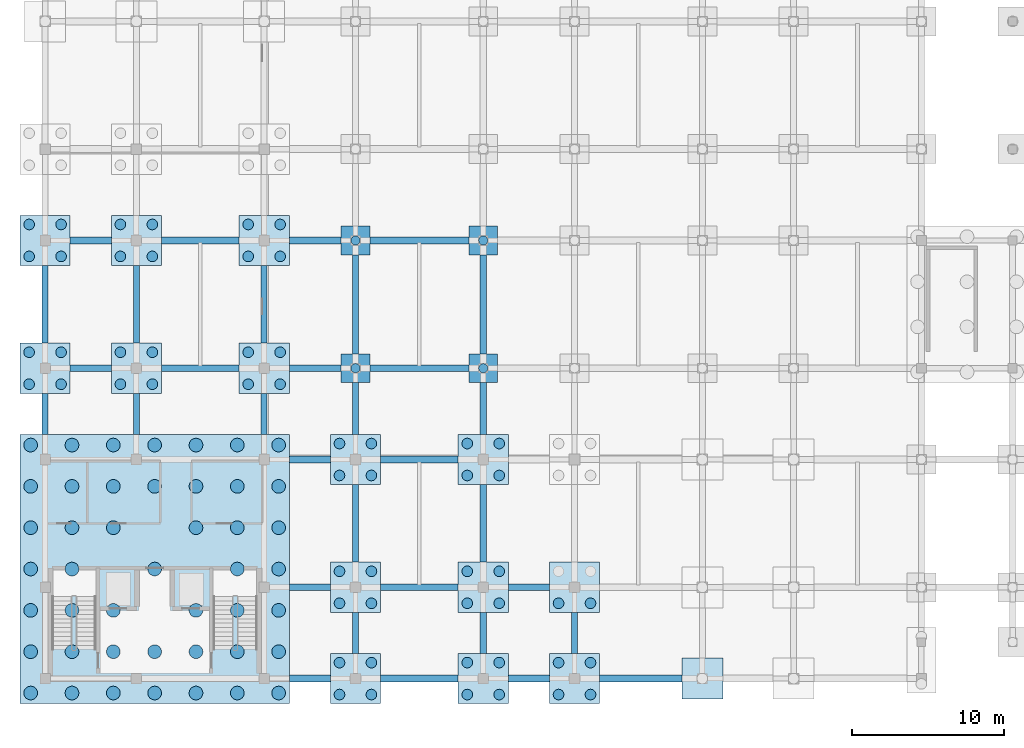
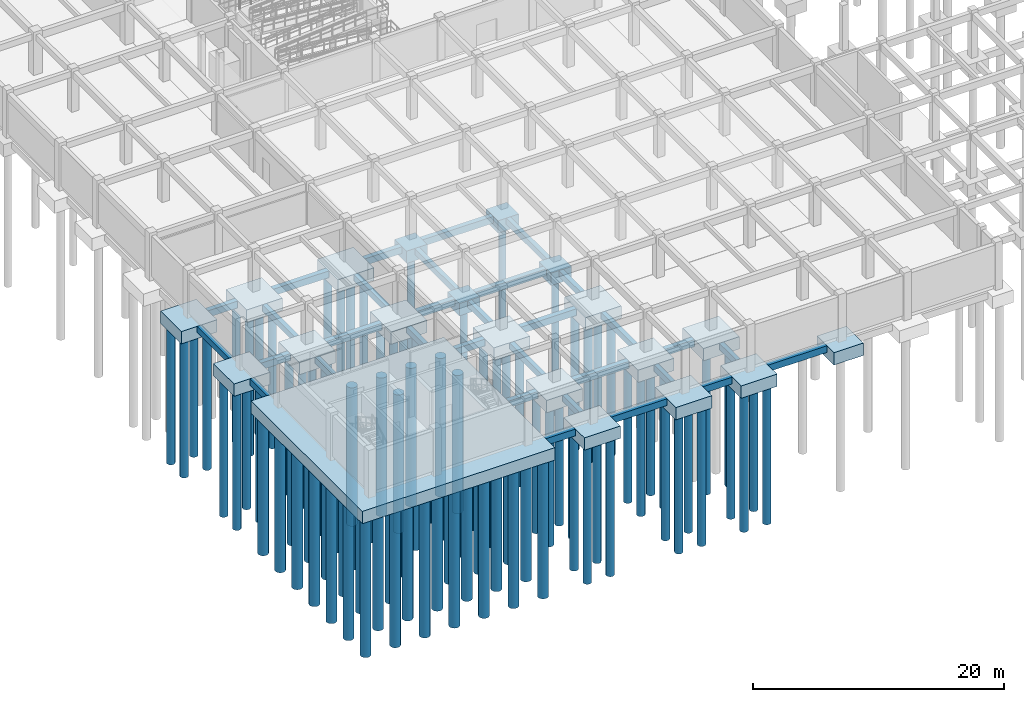
# One storey, part 1 of 40: 103 piles, 52 footings.
"""IFC4 building model written with IfcOpenShell, lengths in metres."""

from ifc_helpers import new_model, si_unit, direction, frame, origin, origin_2d, place, context, subcontext, project, spatial, rectangle, circle, extrude, material, material_profile, profile_set, type_object, element, save


model = new_model("IFC4")

# Units and contexts
model_context = context("Model", 3, precision=1e-05, world=origin(), true_north=direction((0.0, 1.0)))
body_context = subcontext(model_context, "Body", "Model", "MODEL_VIEW")
ifc_project = project(units=[si_unit("LENGTHUNIT", "METRE"), si_unit("AREAUNIT", "SQUARE_METRE"), si_unit("VOLUMEUNIT", "CUBIC_METRE"), si_unit("PLANEANGLEUNIT", "RADIAN"), si_unit("MASSUNIT", "GRAM", prefix="KILO"), si_unit("THERMODYNAMICTEMPERATUREUNIT", "KELVIN")], contexts=[model_context])

# Site, building, storey
site_placement = place(None, origin())
site = spatial("IfcSite", under=ifc_project, at=site_placement, CompositionType="ELEMENT")
building_placement = place(site_placement, origin())
building = spatial("IfcBuilding", under=site, at=building_placement, Name="Thalorik Housing Commons", CompositionType="ELEMENT")
storey_placement = place(building_placement, frame((0.0, 0.0, -4.199951171875)))
storey = spatial("IfcBuildingStorey", under=building, at=storey_placement, Name="B1", CompositionType="ELEMENT", Elevation=-4.199951171875)

# Footings
ifc_material = material(Name="Concrete C40/50", Category="concrete")
footing_type_1 = type_object("IfcFootingType", Name="STR-CAP-17700x17700", PredefinedType="PILE_CAP", material=ifc_material)
footing_1_placement = place(storey_placement, frame((15.60009765625, 15.60009765625, -1.64990234375), z_axis=(0.0, 0.0, 1.0), x_axis=(1.0, 0.0, 0.0)))
element("IfcFooting", 1, at=footing_1_placement, inside=storey, type_object=footing_type_1, Name="B1 Pile Cap 1", PredefinedType="PILE_CAP", context=body_context, shape_type="SweptSolid", body=[
    extrude(rectangle(XDim=17.699951171875, YDim=17.699951171875, at=origin_2d()), origin(), (0.0, 0.0, 1.0), 1.199951171875),
])
footing_type_2 = type_object("IfcFootingType", Name="STR-CAP-1900x1900", PredefinedType="PILE_CAP", material=ifc_material)
for number, where, z_axis, x_axis, name in (
    (2, (28.800048828125, 28.800048828125, -1.64990234375), (0.0, 0.0, 1.0), (1.0, 0.0, 0.0), "B1 Pile Cap 61"),
    (3, (37.199951171875, 28.800048828125, -1.64990234375), (0.0, 0.0, 1.0), (1.0, 0.0, 0.0), "B1 Pile Cap 62"),
    (4, (28.800048828125, 37.199951171875, -1.64990234375), (0.0, 0.0, 1.0), (1.0, 0.0, 0.0), "B1 Pile Cap 86"),
    (5, (37.199951171875, 37.199951171875, -1.64990234375), (0.0, 0.0, 1.0), (1.0, 0.0, 0.0), "B1 Pile Cap 87"),
):
    element("IfcFooting", number, at=place(storey_placement, frame(where, z_axis=z_axis, x_axis=x_axis)), inside=storey, type_object=footing_type_2, Name=name, PredefinedType="PILE_CAP", context=body_context, shape_type="SweptSolid", body=[
        extrude(rectangle(XDim=1.89990234375, YDim=1.89990234375, at=origin_2d()), origin(), (0.0, 0.0, 1.0), 1.199951171875),
    ])
footing_type_3 = type_object("IfcFootingType", Name="STR-CAP-2700x2700", PredefinedType="PILE_CAP", material=ifc_material)
footing_2_placement = place(storey_placement, frame((51.60009765625, 8.39990234375, -1.64990234375), z_axis=(0.0, 0.0, 1.0), x_axis=(1.0, 0.0, 0.0)))
element("IfcFooting", 6, at=footing_2_placement, inside=storey, type_object=footing_type_3, Name="B1 Pile Cap 5", PredefinedType="PILE_CAP", context=body_context, shape_type="SweptSolid", body=[
    extrude(rectangle(XDim=2.699951171875, YDim=2.699951171875, at=origin_2d()), origin(), (0.0, 0.0, 1.0), 1.199951171875),
])
footing_type_4 = type_object("IfcFootingType", Name="STR-CAP-3300x3300", PredefinedType="PILE_CAP", material=ifc_material)
for number, where, z_axis, x_axis, name in (
    (7, (28.800048828125, 8.39990234375, -1.64990234375), (0.0, 0.0, 1.0), (1.0, 0.0, 0.0), "B1 Pile Cap 2"),
    (8, (37.199951171875, 8.39990234375, -1.64990234375), (0.0, 0.0, 1.0), (1.0, 0.0, 0.0), "B1 Pile Cap 3"),
    (9, (43.199951171875, 8.39990234375, -1.64990234375), (0.0, 0.0, 1.0), (1.0, 0.0, 0.0), "B1 Pile Cap 4"),
    (10, (28.800048828125, 14.39990234375, -1.64990234375), (0.0, 0.0, 1.0), (1.0, 0.0, 0.0), "B1 Pile Cap 21"),
    (11, (37.199951171875, 14.39990234375, -1.64990234375), (0.0, 0.0, 1.0), (1.0, 0.0, 0.0), "B1 Pile Cap 22"),
    (12, (43.199951171875, 14.39990234375, -1.64990234375), (0.0, 0.0, 1.0), (1.0, 0.0, 0.0), "B1 Pile Cap 23"),
    (13, (28.800048828125, 22.800048828125, -1.64990234375), (0.0, 0.0, 1.0), (1.0, 0.0, 0.0), "B1 Pile Cap 38"),
    (14, (37.199951171875, 22.800048828125, -1.64990234375), (0.0, 0.0, 1.0), (1.0, 0.0, 0.0), "B1 Pile Cap 39"),
    (15, (8.39990234375, 28.800048828125, -1.64990234375), (0.0, 0.0, 1.0), (1.0, 0.0, 0.0), "B1 Pile Cap 58"),
    (16, (14.39990234375, 28.800048828125, -1.64990234375), (0.0, 0.0, 1.0), (1.0, 0.0, 0.0), "B1 Pile Cap 59"),
    (17, (22.800048828125, 28.800048828125, -1.64990234375), (0.0, 0.0, 1.0), (1.0, 0.0, 0.0), "B1 Pile Cap 60"),
    (18, (8.39990234375, 37.199951171875, -1.64990234375), (0.0, 0.0, 1.0), (1.0, 0.0, 0.0), "B1 Pile Cap 79"),
    (19, (14.39990234375, 37.199951171875, -1.64990234375), (0.0, 0.0, 1.0), (1.0, 0.0, 0.0), "B1 Pile Cap 80"),
    (20, (22.800048828125, 37.199951171875, -1.64990234375), (0.0, 0.0, 1.0), (1.0, 0.0, 0.0), "B1 Pile Cap 81"),
):
    element("IfcFooting", number, at=place(storey_placement, frame(where, z_axis=z_axis, x_axis=x_axis)), inside=storey, type_object=footing_type_4, Name=name, PredefinedType="PILE_CAP", context=body_context, shape_type="SweptSolid", body=[
        extrude(rectangle(XDim=3.300048828125, YDim=3.300048828125, at=origin_2d()), origin(), (0.0, 0.0, 1.0), 1.199951171875),
    ])
ifc_material_profile_1 = material_profile(ifc_material, rectangle(XDim=0.39990234375, YDim=0.60009765625, at=origin_2d()), Name="RC 400x600", Category="concrete")
ifc_profile_set_1 = profile_set([ifc_material_profile_1], Name="Concrete C40/50")
footing_type_5 = type_object("IfcFootingType", Name="STR-GB-400", PredefinedType="FOOTING_BEAM", material=ifc_profile_set_1)
footing_3_placement = place(storey_placement, frame((8.39990234375, 24.449951171875, -0.75), z_axis=(0.0, 1.0, 0.0), x_axis=(-1.0, 0.0, 0.0)))
element("IfcFooting", 21, at=footing_3_placement, inside=storey, type_object=footing_type_5, Name="B1 Ground Tie-Beam Y 263", PredefinedType="FOOTING_BEAM", context=body_context, shape_type="SweptSolid", body=[
    extrude(rectangle(XDim=0.39990234375, YDim=0.60009765625, at=origin_2d()), origin(), (0.0, 0.0, 1.0), 2.699951171875),
])
footing_4_placement = place(storey_placement, frame((8.39990234375, 30.449951171875, -0.75), z_axis=(0.0, 1.0, 0.0), x_axis=(-1.0, 0.0, 0.0)))
element("IfcFooting", 22, at=footing_4_placement, inside=storey, type_object=footing_type_5, Name="B1 Ground Tie-Beam Y 264", PredefinedType="FOOTING_BEAM", context=body_context, shape_type="SweptSolid", body=[
    extrude(rectangle(XDim=0.39990234375, YDim=0.60009765625, at=origin_2d()), origin(), (0.0, 0.0, 1.0), 5.10009765625),
])
footing_5_placement = place(storey_placement, frame((14.39990234375, 24.449951171875, -0.75), z_axis=(0.0, 1.0, 0.0), x_axis=(-1.0, 0.0, 0.0)))
element("IfcFooting", 23, at=footing_5_placement, inside=storey, type_object=footing_type_5, Name="B1 Ground Tie-Beam Y 275", PredefinedType="FOOTING_BEAM", context=body_context, shape_type="SweptSolid", body=[
    extrude(rectangle(XDim=0.39990234375, YDim=0.60009765625, at=origin_2d()), origin(), (0.0, 0.0, 1.0), 2.699951171875),
])
footing_6_placement = place(storey_placement, frame((14.39990234375, 30.449951171875, -0.75), z_axis=(0.0, 1.0, 0.0), x_axis=(-1.0, 0.0, 0.0)))
element("IfcFooting", 24, at=footing_6_placement, inside=storey, type_object=footing_type_5, Name="B1 Ground Tie-Beam Y 276", PredefinedType="FOOTING_BEAM", context=body_context, shape_type="SweptSolid", body=[
    extrude(rectangle(XDim=0.39990234375, YDim=0.60009765625, at=origin_2d()), origin(), (0.0, 0.0, 1.0), 5.10009765625),
])
footing_7_placement = place(storey_placement, frame((22.800048828125, 24.449951171875, -0.75), z_axis=(0.0, 1.0, 0.0), x_axis=(-1.0, 0.0, 0.0)))
element("IfcFooting", 25, at=footing_7_placement, inside=storey, type_object=footing_type_5, Name="B1 Ground Tie-Beam Y 287", PredefinedType="FOOTING_BEAM", context=body_context, shape_type="SweptSolid", body=[
    extrude(rectangle(XDim=0.39990234375, YDim=0.60009765625, at=origin_2d()), origin(), (0.0, 0.0, 1.0), 2.699951171875),
])
footing_8_placement = place(storey_placement, frame((22.800048828125, 30.449951171875, -0.75), z_axis=(0.0, 1.0, 0.0), x_axis=(-1.0, 0.0, 0.0)))
element("IfcFooting", 26, at=footing_8_placement, inside=storey, type_object=footing_type_5, Name="B1 Ground Tie-Beam Y 288", PredefinedType="FOOTING_BEAM", context=body_context, shape_type="SweptSolid", body=[
    extrude(rectangle(XDim=0.39990234375, YDim=0.60009765625, at=origin_2d()), origin(), (0.0, 0.0, 1.0), 5.10009765625),
])
footing_9_placement = place(storey_placement, frame((28.800048828125, 10.050048828125, -0.75), z_axis=(0.0, 1.0, 0.0), x_axis=(-1.0, 0.0, 0.0)))
element("IfcFooting", 27, at=footing_9_placement, inside=storey, type_object=footing_type_5, Name="B1 Ground Tie-Beam Y 299", PredefinedType="FOOTING_BEAM", context=body_context, shape_type="SweptSolid", body=[
    extrude(rectangle(XDim=0.39990234375, YDim=0.60009765625, at=origin_2d()), origin(), (0.0, 0.0, 1.0), 2.699951171875),
])
footing_10_placement = place(storey_placement, frame((28.800048828125, 16.050048828125, -0.75), z_axis=(0.0, 1.0, 0.0), x_axis=(-1.0, 0.0, 0.0)))
element("IfcFooting", 28, at=footing_10_placement, inside=storey, type_object=footing_type_5, Name="B1 Ground Tie-Beam Y 300", PredefinedType="FOOTING_BEAM", context=body_context, shape_type="SweptSolid", body=[
    extrude(rectangle(XDim=0.39990234375, YDim=0.60009765625, at=origin_2d()), origin(), (0.0, 0.0, 1.0), 5.099853515625),
])
footing_11_placement = place(storey_placement, frame((28.800048828125, 24.449951171875, -0.75), z_axis=(0.0, 1.0, 0.0), x_axis=(-1.0, 0.0, 0.0)))
element("IfcFooting", 29, at=footing_11_placement, inside=storey, type_object=footing_type_5, Name="B1 Ground Tie-Beam Y 301", PredefinedType="FOOTING_BEAM", context=body_context, shape_type="SweptSolid", body=[
    extrude(rectangle(XDim=0.39990234375, YDim=0.60009765625, at=origin_2d()), origin(), (0.0, 0.0, 1.0), 3.400146484375),
])
footing_12_placement = place(storey_placement, frame((28.800048828125, 29.75, -0.75), z_axis=(0.0, 1.0, 0.0), x_axis=(-1.0, 0.0, 0.0)))
element("IfcFooting", 30, at=footing_12_placement, inside=storey, type_object=footing_type_5, Name="B1 Ground Tie-Beam Y 302", PredefinedType="FOOTING_BEAM", context=body_context, shape_type="SweptSolid", body=[
    extrude(rectangle(XDim=0.39990234375, YDim=0.60009765625, at=origin_2d()), origin(), (0.0, 0.0, 1.0), 6.5),
])
footing_13_placement = place(storey_placement, frame((37.199951171875, 10.050048828125, -0.75), z_axis=(0.0, 1.0, 0.0), x_axis=(-1.0, 0.0, 0.0)))
element("IfcFooting", 31, at=footing_13_placement, inside=storey, type_object=footing_type_5, Name="B1 Ground Tie-Beam Y 314", PredefinedType="FOOTING_BEAM", context=body_context, shape_type="SweptSolid", body=[
    extrude(rectangle(XDim=0.39990234375, YDim=0.60009765625, at=origin_2d()), origin(), (0.0, 0.0, 1.0), 2.699951171875),
])
footing_14_placement = place(storey_placement, frame((37.199951171875, 16.050048828125, -0.75), z_axis=(0.0, 1.0, 0.0), x_axis=(-1.0, 0.0, 0.0)))
element("IfcFooting", 32, at=footing_14_placement, inside=storey, type_object=footing_type_5, Name="B1 Ground Tie-Beam Y 315", PredefinedType="FOOTING_BEAM", context=body_context, shape_type="SweptSolid", body=[
    extrude(rectangle(XDim=0.39990234375, YDim=0.60009765625, at=origin_2d()), origin(), (0.0, 0.0, 1.0), 5.099853515625),
])
footing_15_placement = place(storey_placement, frame((37.199951171875, 24.449951171875, -0.75), z_axis=(0.0, 1.0, 0.0), x_axis=(-1.0, 0.0, 0.0)))
element("IfcFooting", 33, at=footing_15_placement, inside=storey, type_object=footing_type_5, Name="B1 Ground Tie-Beam Y 316", PredefinedType="FOOTING_BEAM", context=body_context, shape_type="SweptSolid", body=[
    extrude(rectangle(XDim=0.39990234375, YDim=0.60009765625, at=origin_2d()), origin(), (0.0, 0.0, 1.0), 3.400146484375),
])
footing_16_placement = place(storey_placement, frame((37.199951171875, 29.75, -0.75), z_axis=(0.0, 1.0, 0.0), x_axis=(-1.0, 0.0, 0.0)))
element("IfcFooting", 34, at=footing_16_placement, inside=storey, type_object=footing_type_5, Name="B1 Ground Tie-Beam Y 317", PredefinedType="FOOTING_BEAM", context=body_context, shape_type="SweptSolid", body=[
    extrude(rectangle(XDim=0.39990234375, YDim=0.60009765625, at=origin_2d()), origin(), (0.0, 0.0, 1.0), 6.5),
])
footing_17_placement = place(storey_placement, frame((43.199951171875, 10.050048828125, -0.75), z_axis=(0.0, 1.0, 0.0), x_axis=(-1.0, 0.0, 0.0)))
element("IfcFooting", 35, at=footing_17_placement, inside=storey, type_object=footing_type_5, Name="B1 Ground Tie-Beam Y 329", PredefinedType="FOOTING_BEAM", context=body_context, shape_type="SweptSolid", body=[
    extrude(rectangle(XDim=0.39990234375, YDim=0.60009765625, at=origin_2d()), origin(), (0.0, 0.0, 1.0), 2.699951171875),
])
ifc_material_profile_2 = material_profile(ifc_material, rectangle(XDim=0.449951171875, YDim=0.64990234375, at=origin_2d()), Name="RC 450x650", Category="concrete")
ifc_profile_set_2 = profile_set([ifc_material_profile_2], Name="Concrete C40/50")
footing_type_6 = type_object("IfcFootingType", Name="STR-GB-500", PredefinedType="FOOTING_BEAM", material=ifc_profile_set_2)
footing_18_placement = place(storey_placement, frame((24.449951171875, 8.39990234375, -0.775146484375), z_axis=(1.0, 0.0, 0.0), x_axis=(0.0, 1.0, 0.0)))
element("IfcFooting", 36, at=footing_18_placement, inside=storey, type_object=footing_type_6, Name="B1 Ground Tie-Beam X 1", PredefinedType="FOOTING_BEAM", context=body_context, shape_type="SweptSolid", body=[
    extrude(rectangle(XDim=0.449951171875, YDim=0.64990234375, at=origin_2d()), origin(), (0.0, 0.0, 1.0), 2.699951171875),
])
footing_19_placement = place(storey_placement, frame((30.449951171875, 8.39990234375, -0.775146484375), z_axis=(1.0, 0.0, 0.0), x_axis=(0.0, 1.0, 0.0)))
element("IfcFooting", 37, at=footing_19_placement, inside=storey, type_object=footing_type_6, Name="B1 Ground Tie-Beam X 2", PredefinedType="FOOTING_BEAM", context=body_context, shape_type="SweptSolid", body=[
    extrude(rectangle(XDim=0.449951171875, YDim=0.64990234375, at=origin_2d()), origin(), (0.0, 0.0, 1.0), 5.10009765625),
])
footing_20_placement = place(storey_placement, frame((38.85009765625, 8.39990234375, -0.775146484375), z_axis=(1.0, 0.0, 0.0), x_axis=(0.0, 1.0, 0.0)))
element("IfcFooting", 38, at=footing_20_placement, inside=storey, type_object=footing_type_6, Name="B1 Ground Tie-Beam X 3", PredefinedType="FOOTING_BEAM", context=body_context, shape_type="SweptSolid", body=[
    extrude(rectangle(XDim=0.449951171875, YDim=0.64990234375, at=origin_2d()), origin(), (0.0, 0.0, 1.0), 2.699951171875),
])
footing_21_placement = place(storey_placement, frame((44.85009765625, 8.39990234375, -0.775146484375), z_axis=(1.0, 0.0, 0.0), x_axis=(0.0, 1.0, 0.0)))
element("IfcFooting", 39, at=footing_21_placement, inside=storey, type_object=footing_type_6, Name="B1 Ground Tie-Beam X 4", PredefinedType="FOOTING_BEAM", context=body_context, shape_type="SweptSolid", body=[
    extrude(rectangle(XDim=0.449951171875, YDim=0.64990234375, at=origin_2d()), origin(), (0.0, 0.0, 1.0), 5.39990234375),
])
footing_22_placement = place(storey_placement, frame((24.449951171875, 14.39990234375, -0.775146484375), z_axis=(1.0, 0.0, 0.0), x_axis=(0.0, 1.0, 0.0)))
element("IfcFooting", 40, at=footing_22_placement, inside=storey, type_object=footing_type_6, Name="B1 Ground Tie-Beam X 12", PredefinedType="FOOTING_BEAM", context=body_context, shape_type="SweptSolid", body=[
    extrude(rectangle(XDim=0.449951171875, YDim=0.64990234375, at=origin_2d()), origin(), (0.0, 0.0, 1.0), 2.699951171875),
])
footing_23_placement = place(storey_placement, frame((30.449951171875, 14.39990234375, -0.775146484375), z_axis=(1.0, 0.0, 0.0), x_axis=(0.0, 1.0, 0.0)))
element("IfcFooting", 41, at=footing_23_placement, inside=storey, type_object=footing_type_6, Name="B1 Ground Tie-Beam X 13", PredefinedType="FOOTING_BEAM", context=body_context, shape_type="SweptSolid", body=[
    extrude(rectangle(XDim=0.449951171875, YDim=0.64990234375, at=origin_2d()), origin(), (0.0, 0.0, 1.0), 5.10009765625),
])
for number, where, z_axis, x_axis, name in (
    (42, (38.85009765625, 14.39990234375, -0.775146484375), (1.0, 0.0, 0.0), (0.0, 1.0, 0.0), "B1 Ground Tie-Beam X 14"),
    (43, (24.449951171875, 22.800048828125, -0.775146484375), (1.0, 0.0, 0.0), (0.0, 1.0, 0.0), "B1 Ground Tie-Beam X 31"),
):
    element("IfcFooting", number, at=place(storey_placement, frame(where, z_axis=z_axis, x_axis=x_axis)), inside=storey, type_object=footing_type_6, Name=name, PredefinedType="FOOTING_BEAM", context=body_context, shape_type="SweptSolid", body=[
        extrude(rectangle(XDim=0.449951171875, YDim=0.64990234375, at=origin_2d()), origin(), (0.0, 0.0, 1.0), 2.699951171875),
    ])
footing_24_placement = place(storey_placement, frame((30.449951171875, 22.800048828125, -0.775146484375), z_axis=(1.0, 0.0, 0.0), x_axis=(0.0, 1.0, 0.0)))
element("IfcFooting", 44, at=footing_24_placement, inside=storey, type_object=footing_type_6, Name="B1 Ground Tie-Beam X 32", PredefinedType="FOOTING_BEAM", context=body_context, shape_type="SweptSolid", body=[
    extrude(rectangle(XDim=0.449951171875, YDim=0.64990234375, at=origin_2d()), origin(), (0.0, 0.0, 1.0), 5.10009765625),
])
footing_25_placement = place(storey_placement, frame((10.050048828125, 28.800048828125, -0.775146484375), z_axis=(1.0, 0.0, 0.0), x_axis=(0.0, 1.0, 0.0)))
element("IfcFooting", 45, at=footing_25_placement, inside=storey, type_object=footing_type_6, Name="B1 Ground Tie-Beam X 51", PredefinedType="FOOTING_BEAM", context=body_context, shape_type="SweptSolid", body=[
    extrude(rectangle(XDim=0.449951171875, YDim=0.64990234375, at=origin_2d()), origin(), (0.0, 0.0, 1.0), 2.699951171875),
])
footing_26_placement = place(storey_placement, frame((16.050048828125, 28.800048828125, -0.775146484375), z_axis=(1.0, 0.0, 0.0), x_axis=(0.0, 1.0, 0.0)))
element("IfcFooting", 46, at=footing_26_placement, inside=storey, type_object=footing_type_6, Name="B1 Ground Tie-Beam X 52", PredefinedType="FOOTING_BEAM", context=body_context, shape_type="SweptSolid", body=[
    extrude(rectangle(XDim=0.449951171875, YDim=0.64990234375, at=origin_2d()), origin(), (0.0, 0.0, 1.0), 5.099853515625),
])
footing_27_placement = place(storey_placement, frame((24.449951171875, 28.800048828125, -0.775146484375), z_axis=(1.0, 0.0, 0.0), x_axis=(0.0, 1.0, 0.0)))
element("IfcFooting", 47, at=footing_27_placement, inside=storey, type_object=footing_type_6, Name="B1 Ground Tie-Beam X 53", PredefinedType="FOOTING_BEAM", context=body_context, shape_type="SweptSolid", body=[
    extrude(rectangle(XDim=0.449951171875, YDim=0.64990234375, at=origin_2d()), origin(), (0.0, 0.0, 1.0), 3.400146484375),
])
footing_28_placement = place(storey_placement, frame((29.75, 28.800048828125, -0.775146484375), z_axis=(1.0, 0.0, 0.0), x_axis=(0.0, 1.0, 0.0)))
element("IfcFooting", 48, at=footing_28_placement, inside=storey, type_object=footing_type_6, Name="B1 Ground Tie-Beam X 54", PredefinedType="FOOTING_BEAM", context=body_context, shape_type="SweptSolid", body=[
    extrude(rectangle(XDim=0.449951171875, YDim=0.64990234375, at=origin_2d()), origin(), (0.0, 0.0, 1.0), 6.5),
])
footing_29_placement = place(storey_placement, frame((10.050048828125, 37.199951171875, -0.775146484375), z_axis=(1.0, 0.0, 0.0), x_axis=(0.0, 1.0, 0.0)))
element("IfcFooting", 49, at=footing_29_placement, inside=storey, type_object=footing_type_6, Name="B1 Ground Tie-Beam X 71", PredefinedType="FOOTING_BEAM", context=body_context, shape_type="SweptSolid", body=[
    extrude(rectangle(XDim=0.449951171875, YDim=0.64990234375, at=origin_2d()), origin(), (0.0, 0.0, 1.0), 2.699951171875),
])
footing_30_placement = place(storey_placement, frame((16.050048828125, 37.199951171875, -0.775146484375), z_axis=(1.0, 0.0, 0.0), x_axis=(0.0, 1.0, 0.0)))
element("IfcFooting", 50, at=footing_30_placement, inside=storey, type_object=footing_type_6, Name="B1 Ground Tie-Beam X 72", PredefinedType="FOOTING_BEAM", context=body_context, shape_type="SweptSolid", body=[
    extrude(rectangle(XDim=0.449951171875, YDim=0.64990234375, at=origin_2d()), origin(), (0.0, 0.0, 1.0), 5.099853515625),
])
footing_31_placement = place(storey_placement, frame((24.449951171875, 37.199951171875, -0.775146484375), z_axis=(1.0, 0.0, 0.0), x_axis=(0.0, 1.0, 0.0)))
element("IfcFooting", 51, at=footing_31_placement, inside=storey, type_object=footing_type_6, Name="B1 Ground Tie-Beam X 73", PredefinedType="FOOTING_BEAM", context=body_context, shape_type="SweptSolid", body=[
    extrude(rectangle(XDim=0.449951171875, YDim=0.64990234375, at=origin_2d()), origin(), (0.0, 0.0, 1.0), 3.400146484375),
])
footing_32_placement = place(storey_placement, frame((29.75, 37.199951171875, -0.775146484375), z_axis=(1.0, 0.0, 0.0), x_axis=(0.0, 1.0, 0.0)))
element("IfcFooting", 52, at=footing_32_placement, inside=storey, type_object=footing_type_6, Name="B1 Ground Tie-Beam X 74", PredefinedType="FOOTING_BEAM", context=body_context, shape_type="SweptSolid", body=[
    extrude(rectangle(XDim=0.449951171875, YDim=0.64990234375, at=origin_2d()), origin(), (0.0, 0.0, 1.0), 6.5),
])

# Piles
ifc_material_profile_3 = material_profile(ifc_material, circle(Radius=0.300048828125, at=origin_2d()), Name="BORED PILE D600", Category="concrete")
ifc_profile_set_3 = profile_set([ifc_material_profile_3], Name="Concrete C40/50")
pile_type_1 = type_object("IfcPileType", Name="STR-PILE-D600", PredefinedType="BORED", material=ifc_profile_set_3)
for number, where, z_axis, x_axis, name in (
    (53, (28.800048828125, 28.800048828125, -1.550048828125), (0.0, 0.0, -1.0), (1.0, 0.0, 0.0), "B1 Bored Pile 164"),
    (54, (37.199951171875, 28.800048828125, -1.550048828125), (0.0, 0.0, -1.0), (1.0, 0.0, 0.0), "B1 Bored Pile 165"),
    (55, (28.800048828125, 37.199951171875, -1.550048828125), (0.0, 0.0, -1.0), (1.0, 0.0, 0.0), "B1 Bored Pile 220"),
    (56, (37.199951171875, 37.199951171875, -1.550048828125), (0.0, 0.0, -1.0), (1.0, 0.0, 0.0), "B1 Bored Pile 221"),
):
    element("IfcPile", number, at=place(storey_placement, frame(where, z_axis=z_axis, x_axis=x_axis)), inside=storey, type_object=pile_type_1, Name=name, PredefinedType="BORED", context=body_context, shape_type="SweptSolid", body=[
        extrude(circle(Radius=0.300048828125, at=origin_2d()), origin(), (0.0, 0.0, 1.0), 13.449951171875),
    ])
ifc_material_profile_4 = material_profile(ifc_material, circle(Radius=0.35009765625, at=origin_2d()), Name="BORED PILE D700", Category="concrete")
ifc_profile_set_4 = profile_set([ifc_material_profile_4], Name="Concrete C40/50")
pile_type_2 = type_object("IfcPileType", Name="STR-PILE-D700", PredefinedType="BORED", material=ifc_profile_set_4)
for number, where, z_axis, x_axis, name in (
    (57, (27.75, 7.35009765625, -1.550048828125), (0.0, 0.0, -1.0), (1.0, 0.0, 0.0), "B1 Bored Pile 46"),
    (58, (27.75, 9.449951171875, -1.550048828125), (0.0, 0.0, -1.0), (1.0, 0.0, 0.0), "B1 Bored Pile 47"),
    (59, (29.85009765625, 7.35009765625, -1.550048828125), (0.0, 0.0, -1.0), (1.0, 0.0, 0.0), "B1 Bored Pile 48"),
    (60, (29.85009765625, 9.449951171875, -1.550048828125), (0.0, 0.0, -1.0), (1.0, 0.0, 0.0), "B1 Bored Pile 49"),
    (61, (36.14990234375, 7.35009765625, -1.550048828125), (0.0, 0.0, -1.0), (1.0, 0.0, 0.0), "B1 Bored Pile 50"),
    (62, (36.14990234375, 9.449951171875, -1.550048828125), (0.0, 0.0, -1.0), (1.0, 0.0, 0.0), "B1 Bored Pile 51"),
    (63, (38.25, 7.35009765625, -1.550048828125), (0.0, 0.0, -1.0), (1.0, 0.0, 0.0), "B1 Bored Pile 52"),
    (64, (38.25, 9.449951171875, -1.550048828125), (0.0, 0.0, -1.0), (1.0, 0.0, 0.0), "B1 Bored Pile 53"),
    (65, (42.14990234375, 7.35009765625, -1.550048828125), (0.0, 0.0, -1.0), (1.0, 0.0, 0.0), "B1 Bored Pile 54"),
    (66, (42.14990234375, 9.449951171875, -1.550048828125), (0.0, 0.0, -1.0), (1.0, 0.0, 0.0), "B1 Bored Pile 55"),
    (67, (44.25, 7.35009765625, -1.550048828125), (0.0, 0.0, -1.0), (1.0, 0.0, 0.0), "B1 Bored Pile 56"),
    (68, (44.25, 9.449951171875, -1.550048828125), (0.0, 0.0, -1.0), (1.0, 0.0, 0.0), "B1 Bored Pile 57"),
    (69, (27.75, 13.35009765625, -1.550048828125), (0.0, 0.0, -1.0), (1.0, 0.0, 0.0), "B1 Bored Pile 97"),
    (70, (27.75, 15.449951171875, -1.550048828125), (0.0, 0.0, -1.0), (1.0, 0.0, 0.0), "B1 Bored Pile 98"),
    (71, (29.85009765625, 13.35009765625, -1.550048828125), (0.0, 0.0, -1.0), (1.0, 0.0, 0.0), "B1 Bored Pile 99"),
    (72, (29.85009765625, 15.449951171875, -1.550048828125), (0.0, 0.0, -1.0), (1.0, 0.0, 0.0), "B1 Bored Pile 100"),
    (73, (36.14990234375, 13.35009765625, -1.550048828125), (0.0, 0.0, -1.0), (1.0, 0.0, 0.0), "B1 Bored Pile 101"),
    (74, (36.14990234375, 15.449951171875, -1.550048828125), (0.0, 0.0, -1.0), (1.0, 0.0, 0.0), "B1 Bored Pile 102"),
    (75, (38.25, 13.35009765625, -1.550048828125), (0.0, 0.0, -1.0), (1.0, 0.0, 0.0), "B1 Bored Pile 103"),
    (76, (38.25, 15.449951171875, -1.550048828125), (0.0, 0.0, -1.0), (1.0, 0.0, 0.0), "B1 Bored Pile 104"),
    (77, (42.14990234375, 13.35009765625, -1.550048828125), (0.0, 0.0, -1.0), (1.0, 0.0, 0.0), "B1 Bored Pile 105"),
    (78, (44.25, 13.35009765625, -1.550048828125), (0.0, 0.0, -1.0), (1.0, 0.0, 0.0), "B1 Bored Pile 107"),
    (79, (27.75, 21.75, -1.550048828125), (0.0, 0.0, -1.0), (1.0, 0.0, 0.0), "B1 Bored Pile 123"),
    (80, (27.75, 23.85009765625, -1.550048828125), (0.0, 0.0, -1.0), (1.0, 0.0, 0.0), "B1 Bored Pile 124"),
    (81, (29.85009765625, 21.75, -1.550048828125), (0.0, 0.0, -1.0), (1.0, 0.0, 0.0), "B1 Bored Pile 125"),
    (82, (29.85009765625, 23.85009765625, -1.550048828125), (0.0, 0.0, -1.0), (1.0, 0.0, 0.0), "B1 Bored Pile 126"),
    (83, (36.14990234375, 21.75, -1.550048828125), (0.0, 0.0, -1.0), (1.0, 0.0, 0.0), "B1 Bored Pile 127"),
    (84, (36.14990234375, 23.85009765625, -1.550048828125), (0.0, 0.0, -1.0), (1.0, 0.0, 0.0), "B1 Bored Pile 128"),
    (85, (38.25, 21.75, -1.550048828125), (0.0, 0.0, -1.0), (1.0, 0.0, 0.0), "B1 Bored Pile 129"),
    (86, (38.25, 23.85009765625, -1.550048828125), (0.0, 0.0, -1.0), (1.0, 0.0, 0.0), "B1 Bored Pile 130"),
    (87, (7.35009765625, 27.75, -1.550048828125), (0.0, 0.0, -1.0), (1.0, 0.0, 0.0), "B1 Bored Pile 152"),
    (88, (7.35009765625, 29.85009765625, -1.550048828125), (0.0, 0.0, -1.0), (1.0, 0.0, 0.0), "B1 Bored Pile 153"),
    (89, (9.449951171875, 27.75, -1.550048828125), (0.0, 0.0, -1.0), (1.0, 0.0, 0.0), "B1 Bored Pile 154"),
    (90, (9.449951171875, 29.85009765625, -1.550048828125), (0.0, 0.0, -1.0), (1.0, 0.0, 0.0), "B1 Bored Pile 155"),
    (91, (13.35009765625, 27.75, -1.550048828125), (0.0, 0.0, -1.0), (1.0, 0.0, 0.0), "B1 Bored Pile 156"),
    (92, (13.35009765625, 29.85009765625, -1.550048828125), (0.0, 0.0, -1.0), (1.0, 0.0, 0.0), "B1 Bored Pile 157"),
    (93, (15.449951171875, 27.75, -1.550048828125), (0.0, 0.0, -1.0), (1.0, 0.0, 0.0), "B1 Bored Pile 158"),
    (94, (15.449951171875, 29.85009765625, -1.550048828125), (0.0, 0.0, -1.0), (1.0, 0.0, 0.0), "B1 Bored Pile 159"),
    (95, (21.75, 27.75, -1.550048828125), (0.0, 0.0, -1.0), (1.0, 0.0, 0.0), "B1 Bored Pile 160"),
    (96, (21.75, 29.85009765625, -1.550048828125), (0.0, 0.0, -1.0), (1.0, 0.0, 0.0), "B1 Bored Pile 161"),
    (97, (23.85009765625, 27.75, -1.550048828125), (0.0, 0.0, -1.0), (1.0, 0.0, 0.0), "B1 Bored Pile 162"),
    (98, (23.85009765625, 29.85009765625, -1.550048828125), (0.0, 0.0, -1.0), (1.0, 0.0, 0.0), "B1 Bored Pile 163"),
    (99, (7.35009765625, 36.14990234375, -1.550048828125), (0.0, 0.0, -1.0), (1.0, 0.0, 0.0), "B1 Bored Pile 204"),
    (100, (7.35009765625, 38.25, -1.550048828125), (0.0, 0.0, -1.0), (1.0, 0.0, 0.0), "B1 Bored Pile 205"),
    (101, (9.449951171875, 36.14990234375, -1.550048828125), (0.0, 0.0, -1.0), (1.0, 0.0, 0.0), "B1 Bored Pile 206"),
    (102, (9.449951171875, 38.25, -1.550048828125), (0.0, 0.0, -1.0), (1.0, 0.0, 0.0), "B1 Bored Pile 207"),
    (103, (13.35009765625, 36.14990234375, -1.550048828125), (0.0, 0.0, -1.0), (1.0, 0.0, 0.0), "B1 Bored Pile 208"),
    (104, (13.35009765625, 38.25, -1.550048828125), (0.0, 0.0, -1.0), (1.0, 0.0, 0.0), "B1 Bored Pile 209"),
    (105, (15.449951171875, 36.14990234375, -1.550048828125), (0.0, 0.0, -1.0), (1.0, 0.0, 0.0), "B1 Bored Pile 210"),
    (106, (15.449951171875, 38.25, -1.550048828125), (0.0, 0.0, -1.0), (1.0, 0.0, 0.0), "B1 Bored Pile 211"),
    (107, (21.75, 36.14990234375, -1.550048828125), (0.0, 0.0, -1.0), (1.0, 0.0, 0.0), "B1 Bored Pile 212"),
    (108, (21.75, 38.25, -1.550048828125), (0.0, 0.0, -1.0), (1.0, 0.0, 0.0), "B1 Bored Pile 213"),
    (109, (23.85009765625, 36.14990234375, -1.550048828125), (0.0, 0.0, -1.0), (1.0, 0.0, 0.0), "B1 Bored Pile 214"),
    (110, (23.85009765625, 38.25, -1.550048828125), (0.0, 0.0, -1.0), (1.0, 0.0, 0.0), "B1 Bored Pile 215"),
):
    element("IfcPile", number, at=place(storey_placement, frame(where, z_axis=z_axis, x_axis=x_axis)), inside=storey, type_object=pile_type_2, Name=name, PredefinedType="BORED", context=body_context, shape_type="SweptSolid", body=[
        extrude(circle(Radius=0.35009765625, at=origin_2d()), origin(), (0.0, 0.0, 1.0), 13.449951171875),
    ])
ifc_material_profile_5 = material_profile(ifc_material, circle(Radius=0.449951171875, at=origin_2d()), Name="BORED PILE D900", Category="concrete")
ifc_profile_set_5 = profile_set([ifc_material_profile_5], Name="Concrete C40/50")
pile_type_3 = type_object("IfcPileType", Name="STR-PILE-D900", PredefinedType="BORED", material=ifc_profile_set_5)
for number, where, z_axis, x_axis, name in (
    (111, (7.449951171875, 7.449951171875, -1.550048828125), (0.0, 0.0, -1.0), (1.0, 0.0, 0.0), "B1 Bored Pile 1"),
    (112, (7.449951171875, 10.166748046875, -1.550048828125), (0.0, 0.0, -1.0), (1.0, 0.0, 0.0), "B1 Bored Pile 2"),
    (113, (7.449951171875, 12.88330078125, -1.550048828125), (0.0, 0.0, -1.0), (1.0, 0.0, 0.0), "B1 Bored Pile 3"),
    (114, (7.449951171875, 15.60009765625, -1.550048828125), (0.0, 0.0, -1.0), (1.0, 0.0, 0.0), "B1 Bored Pile 4"),
    (115, (7.449951171875, 18.316650390625, -1.550048828125), (0.0, 0.0, -1.0), (1.0, 0.0, 0.0), "B1 Bored Pile 5"),
    (116, (7.449951171875, 21.033203125, -1.550048828125), (0.0, 0.0, -1.0), (1.0, 0.0, 0.0), "B1 Bored Pile 6"),
    (117, (7.449951171875, 23.75, -1.550048828125), (0.0, 0.0, -1.0), (1.0, 0.0, 0.0), "B1 Bored Pile 7"),
    (118, (10.166748046875, 7.449951171875, -1.550048828125), (0.0, 0.0, -1.0), (1.0, 0.0, 0.0), "B1 Bored Pile 8"),
    (119, (10.166748046875, 10.166748046875, -1.550048828125), (0.0, 0.0, -1.0), (1.0, 0.0, 0.0), "B1 Bored Pile 9"),
    (120, (10.166748046875, 12.88330078125, -1.550048828125), (0.0, 0.0, -1.0), (1.0, 0.0, 0.0), "B1 Bored Pile 10"),
    (121, (10.166748046875, 15.60009765625, -1.550048828125), (0.0, 0.0, -1.0), (1.0, 0.0, 0.0), "B1 Bored Pile 11"),
    (122, (10.166748046875, 18.316650390625, -1.550048828125), (0.0, 0.0, -1.0), (1.0, 0.0, 0.0), "B1 Bored Pile 12"),
    (123, (10.166748046875, 21.033203125, -1.550048828125), (0.0, 0.0, -1.0), (1.0, 0.0, 0.0), "B1 Bored Pile 13"),
    (124, (10.166748046875, 23.75, -1.550048828125), (0.0, 0.0, -1.0), (1.0, 0.0, 0.0), "B1 Bored Pile 14"),
    (125, (12.88330078125, 7.449951171875, -1.550048828125), (0.0, 0.0, -1.0), (1.0, 0.0, 0.0), "B1 Bored Pile 15"),
    (126, (12.88330078125, 10.166748046875, -1.550048828125), (0.0, 0.0, -1.0), (1.0, 0.0, 0.0), "B1 Bored Pile 16"),
    (127, (12.88330078125, 12.88330078125, -1.550048828125), (0.0, 0.0, -1.0), (1.0, 0.0, 0.0), "B1 Bored Pile 17"),
    (128, (12.88330078125, 18.316650390625, -1.550048828125), (0.0, 0.0, -1.0), (1.0, 0.0, 0.0), "B1 Bored Pile 18"),
    (129, (12.88330078125, 21.033203125, -1.550048828125), (0.0, 0.0, -1.0), (1.0, 0.0, 0.0), "B1 Bored Pile 19"),
    (130, (12.88330078125, 23.75, -1.550048828125), (0.0, 0.0, -1.0), (1.0, 0.0, 0.0), "B1 Bored Pile 20"),
    (131, (15.60009765625, 7.449951171875, -1.550048828125), (0.0, 0.0, -1.0), (1.0, 0.0, 0.0), "B1 Bored Pile 21"),
    (132, (15.60009765625, 10.166748046875, -1.550048828125), (0.0, 0.0, -1.0), (1.0, 0.0, 0.0), "B1 Bored Pile 22"),
    (133, (15.60009765625, 15.60009765625, -1.550048828125), (0.0, 0.0, -1.0), (1.0, 0.0, 0.0), "B1 Bored Pile 23"),
    (134, (15.60009765625, 21.033203125, -1.550048828125), (0.0, 0.0, -1.0), (1.0, 0.0, 0.0), "B1 Bored Pile 24"),
    (135, (15.60009765625, 23.75, -1.550048828125), (0.0, 0.0, -1.0), (1.0, 0.0, 0.0), "B1 Bored Pile 25"),
    (136, (18.316650390625, 7.449951171875, -1.550048828125), (0.0, 0.0, -1.0), (1.0, 0.0, 0.0), "B1 Bored Pile 26"),
    (137, (18.316650390625, 10.166748046875, -1.550048828125), (0.0, 0.0, -1.0), (1.0, 0.0, 0.0), "B1 Bored Pile 27"),
    (138, (18.316650390625, 12.88330078125, -1.550048828125), (0.0, 0.0, -1.0), (1.0, 0.0, 0.0), "B1 Bored Pile 28"),
    (139, (18.316650390625, 18.316650390625, -1.550048828125), (0.0, 0.0, -1.0), (1.0, 0.0, 0.0), "B1 Bored Pile 29"),
    (140, (18.316650390625, 21.033203125, -1.550048828125), (0.0, 0.0, -1.0), (1.0, 0.0, 0.0), "B1 Bored Pile 30"),
    (141, (18.316650390625, 23.75, -1.550048828125), (0.0, 0.0, -1.0), (1.0, 0.0, 0.0), "B1 Bored Pile 31"),
    (142, (21.033203125, 7.449951171875, -1.550048828125), (0.0, 0.0, -1.0), (1.0, 0.0, 0.0), "B1 Bored Pile 32"),
    (143, (21.033203125, 10.166748046875, -1.550048828125), (0.0, 0.0, -1.0), (1.0, 0.0, 0.0), "B1 Bored Pile 33"),
    (144, (21.033203125, 12.88330078125, -1.550048828125), (0.0, 0.0, -1.0), (1.0, 0.0, 0.0), "B1 Bored Pile 34"),
    (145, (21.033203125, 15.60009765625, -1.550048828125), (0.0, 0.0, -1.0), (1.0, 0.0, 0.0), "B1 Bored Pile 35"),
    (146, (21.033203125, 18.316650390625, -1.550048828125), (0.0, 0.0, -1.0), (1.0, 0.0, 0.0), "B1 Bored Pile 36"),
    (147, (21.033203125, 21.033203125, -1.550048828125), (0.0, 0.0, -1.0), (1.0, 0.0, 0.0), "B1 Bored Pile 37"),
    (148, (21.033203125, 23.75, -1.550048828125), (0.0, 0.0, -1.0), (1.0, 0.0, 0.0), "B1 Bored Pile 38"),
    (149, (23.75, 7.449951171875, -1.550048828125), (0.0, 0.0, -1.0), (1.0, 0.0, 0.0), "B1 Bored Pile 39"),
    (150, (23.75, 10.166748046875, -1.550048828125), (0.0, 0.0, -1.0), (1.0, 0.0, 0.0), "B1 Bored Pile 40"),
    (151, (23.75, 12.88330078125, -1.550048828125), (0.0, 0.0, -1.0), (1.0, 0.0, 0.0), "B1 Bored Pile 41"),
    (152, (23.75, 15.60009765625, -1.550048828125), (0.0, 0.0, -1.0), (1.0, 0.0, 0.0), "B1 Bored Pile 42"),
    (153, (23.75, 18.316650390625, -1.550048828125), (0.0, 0.0, -1.0), (1.0, 0.0, 0.0), "B1 Bored Pile 43"),
    (154, (23.75, 21.033203125, -1.550048828125), (0.0, 0.0, -1.0), (1.0, 0.0, 0.0), "B1 Bored Pile 44"),
    (155, (23.75, 23.75, -1.550048828125), (0.0, 0.0, -1.0), (1.0, 0.0, 0.0), "B1 Bored Pile 45"),
):
    element("IfcPile", number, at=place(storey_placement, frame(where, z_axis=z_axis, x_axis=x_axis)), inside=storey, type_object=pile_type_3, Name=name, PredefinedType="BORED", context=body_context, shape_type="SweptSolid", body=[
        extrude(circle(Radius=0.449951171875, at=origin_2d()), origin(), (0.0, 0.0, 1.0), 13.449951171875),
    ])

save(model, "model.ifc")
